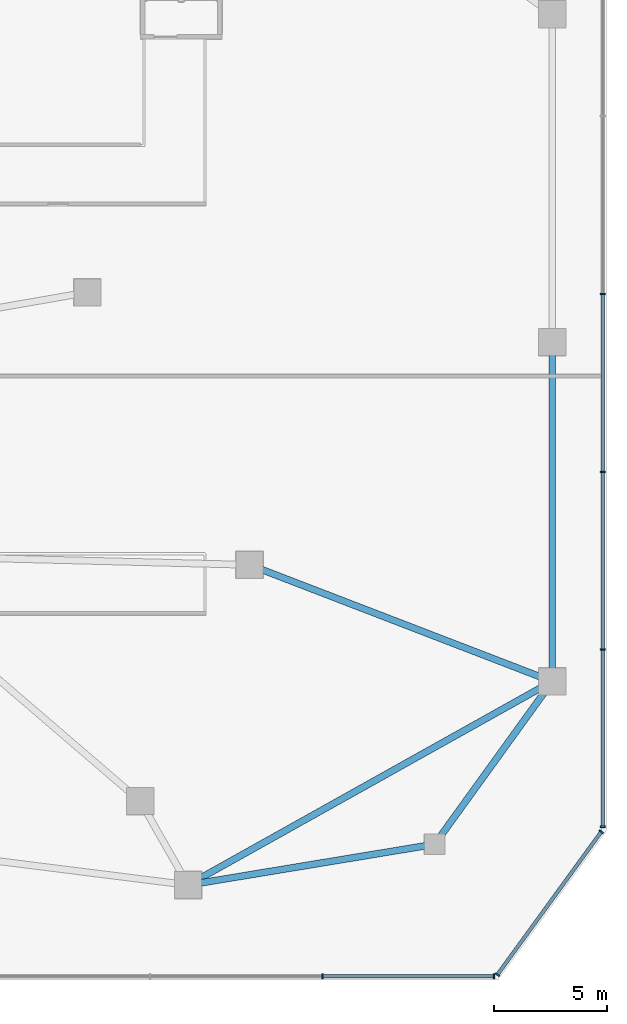
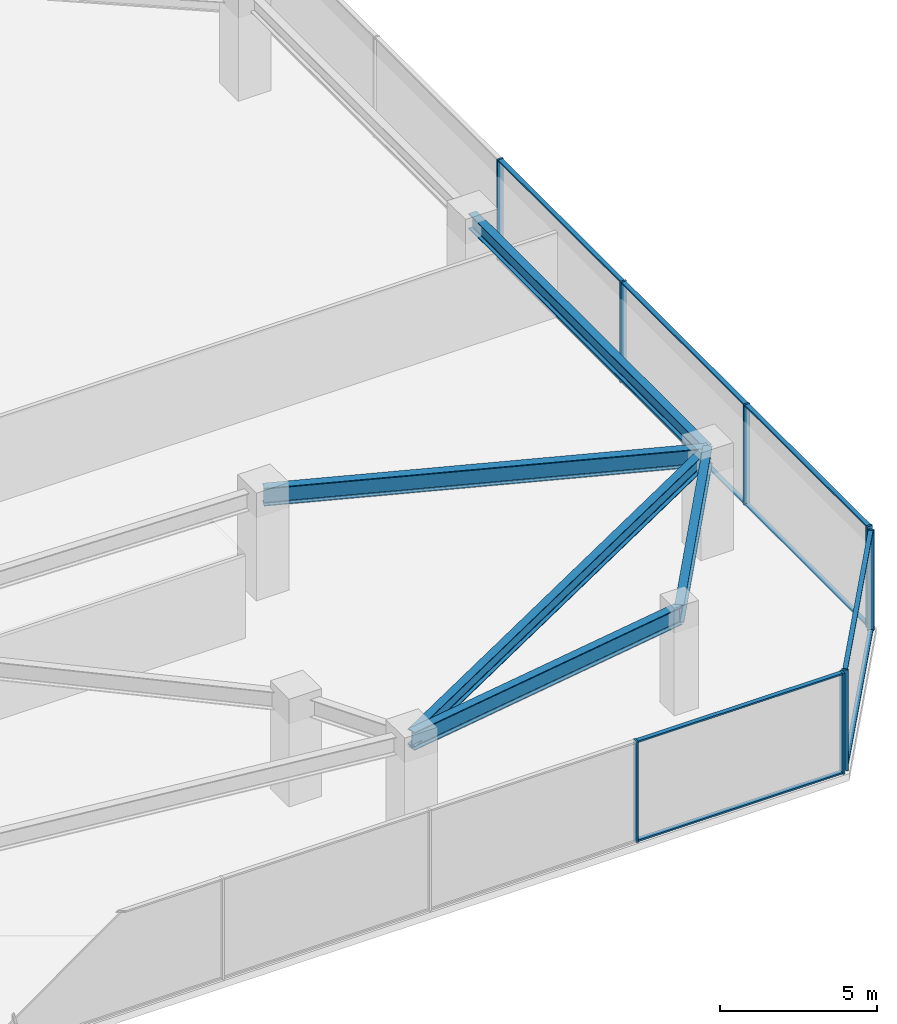
# One storey, part 8 of 21: 18 members, 5 beams, 3 elements without a shape of their own.
"""IFC4 building model written with IfcOpenShell, lengths in metres."""

from ifc_helpers import new_model, si_unit, direction, frame, origin, origin_2d, place, context, subcontext, project, spatial, rectangle, i_section, extrude, material, material_profile, profile_set, type_object, element, aggregate, save


model = new_model("IFC4")

# Units and contexts
model_context = context("Model", 3, precision=1e-05, world=origin(), true_north=direction((0.0, 1.0)))
body_context = subcontext(model_context, "Body", "Model", "MODEL_VIEW")
ifc_project = project(units=[si_unit("LENGTHUNIT", "METRE"), si_unit("AREAUNIT", "SQUARE_METRE"), si_unit("VOLUMEUNIT", "CUBIC_METRE"), si_unit("PLANEANGLEUNIT", "RADIAN"), si_unit("MASSUNIT", "GRAM", prefix="KILO")], contexts=[model_context])

# Site, building, storey
site_placement = place(None, origin())
site = spatial("IfcSite", under=ifc_project, at=site_placement, CompositionType="ELEMENT")
building_placement = place(site_placement, origin())
building = spatial("IfcBuilding", under=site, at=building_placement, Name="Savorim Split Tower", CompositionType="ELEMENT")
storey_placement = place(building_placement, frame((0.0, 0.0, 9.199951171875)))
storey = spatial("IfcBuildingStorey", under=building, at=storey_placement, Name="L02", CompositionType="ELEMENT", Elevation=9.199951171875)

# Beams
ifc_material_1 = material(Name="Steel S355", Category="steel")
ifc_material_profile_1 = material_profile(ifc_material_1, i_section(OverallWidth=0.300048828125, OverallDepth=0.699951171875, WebThickness=0.01708984375, FlangeThickness=0.031982421875, FilletRadius=0.027099609375, at=origin_2d()), Name="HEB 700")
ifc_profile_set_1 = profile_set([ifc_material_profile_1], Name="Steel S355")
beam_type_1 = type_object("IfcBeamType", Name="BM-PRI-HEB700", PredefinedType="BEAM", material=ifc_profile_set_1)
beam_1_placement = place(storey_placement, frame((22.5, -24.0, 3.570068359375), z_axis=(0.986636527583, 0.162936682298, 0.0), x_axis=(-0.162936682298, 0.986636527583, 0.0)))
element("IfcBeam", 1, at=beam_1_placement, inside=storey, type_object=beam_type_1, Name="L02 Podium Primary Girder BG-05", PredefinedType="BEAM", context=body_context, shape_type="SweptSolid", body=[
    extrude(i_section(OverallWidth=0.300048828125, OverallDepth=0.699951171875, WebThickness=0.01708984375, FlangeThickness=0.031982421875, FilletRadius=0.027099609375, at=origin_2d()), origin(), (0.0, 0.0, 1.0), 11.047607421875),
])
beam_2_placement = place(storey_placement, frame((33.39990234375, -22.199951171875, 3.570068359375), z_axis=(0.585507615617, 0.810666905735, 0.0), x_axis=(-0.810666905735, 0.585507615617, 0.0)))
element("IfcBeam", 2, at=beam_2_placement, inside=storey, type_object=beam_type_1, Name="L02 Podium Primary Girder BG-06", PredefinedType="BEAM", context=body_context, shape_type="SweptSolid", body=[
    extrude(i_section(OverallWidth=0.300048828125, OverallDepth=0.699951171875, WebThickness=0.01708984375, FlangeThickness=0.031982421875, FilletRadius=0.027099609375, at=origin_2d()), origin(), (0.0, 0.0, 1.0), 8.881591796875),
])
beam_3_placement = place(storey_placement, frame((38.60009765625, -15.0, 3.570068359375), z_axis=(-0.933209998247, 0.359331461427, 0.0), x_axis=(-0.359331461427, -0.933209998247, 0.0)))
element("IfcBeam", 3, at=beam_3_placement, inside=storey, type_object=beam_type_1, Name="L02 Podium Primary Girder BG-07", PredefinedType="BEAM", context=body_context, shape_type="SweptSolid", body=[
    extrude(i_section(OverallWidth=0.300048828125, OverallDepth=0.699951171875, WebThickness=0.01708984375, FlangeThickness=0.031982421875, FilletRadius=0.027099609375, at=origin_2d()), origin(), (0.0, 0.0, 1.0), 14.3447265625),
])
ifc_material_profile_2 = material_profile(ifc_material_1, i_section(OverallWidth=0.300048828125, OverallDepth=0.590087890625, WebThickness=0.012939453125, FlangeThickness=0.02490234375, FilletRadius=0.027099609375, at=origin_2d()), Name="HEA 600")
ifc_profile_set_2 = profile_set([ifc_material_profile_2], Name="Steel S355")
beam_type_2 = type_object("IfcBeamType", Name="BM-SPN-HEA600", PredefinedType="SPANDREL", material=ifc_profile_set_2)
beam_4_placement = place(storey_placement, frame((22.5, -24.0, 3.625), z_axis=(0.872876830371, 0.487940610117, 0.0), x_axis=(-0.487940610117, 0.872876830371, 0.0)))
element("IfcBeam", 4, at=beam_4_placement, inside=storey, type_object=beam_type_2, Name="L02 Podium Spandrel Beam 2", PredefinedType="SPANDREL", context=body_context, shape_type="SweptSolid", body=[
    extrude(i_section(OverallWidth=0.300048828125, OverallDepth=0.590087890625, WebThickness=0.012939453125, FlangeThickness=0.02490234375, FilletRadius=0.027099609375, at=origin_2d()), origin(), (0.0, 0.0, 1.0), 18.44482421875),
])
beam_5_placement = place(storey_placement, frame((38.60009765625, -15.0, 3.625), z_axis=(0.0, 1.0, 0.0), x_axis=(-1.0, 0.0, 0.0)))
element("IfcBeam", 5, at=beam_5_placement, inside=storey, type_object=beam_type_2, Name="L02 Podium Spandrel Beam 3", PredefinedType="SPANDREL", context=body_context, shape_type="SweptSolid", body=[
    extrude(i_section(OverallWidth=0.300048828125, OverallDepth=0.590087890625, WebThickness=0.012939453125, FlangeThickness=0.02490234375, FilletRadius=0.027099609375, at=origin_2d()), origin(), (0.0, 0.0, 1.0), 15.0),
])

# Curtain wall, members
ifc_material_2 = material(Name="Dark Ceramic-Fritted Insulated Glass", Category="glass")
curtain_wall_type = type_object("IfcCurtainWallType", Name="CW-POD-GLZ", PredefinedType="NOTDEFINED", material=ifc_material_2)
curtain_wall_1_placement = place(storey_placement, origin())
curtain_wall_1 = element("IfcCurtainWall", 6, at=curtain_wall_1_placement, inside=storey, type_object=curtain_wall_type, Name="L02 Curtain Wall CW-L02-E04", PredefinedType="NOTDEFINED")
ifc_material_3 = material(Name="Charcoal Anodised Aluminium", Category="aluminium")
ifc_material_profile_3 = material_profile(ifc_material_3, rectangle(XDim=0.219970703125, YDim=0.070068359375, at=origin_2d()), Name="ALU-M 220x70")
ifc_profile_set_3 = profile_set([ifc_material_profile_3], Name="Charcoal Anodised Aluminium")
member_type_1 = type_object("IfcMemberType", Name="CWM-220x70", PredefinedType="MULLION", material=ifc_profile_set_3)
member_1_placement = place(storey_placement, frame((28.43310546875, -28.0400390625, 0.0), z_axis=(0.0, 0.0, 1.0), x_axis=(0.0, 1.0, 0.0)))
member_1 = element("IfcMember", 7, at=member_1_placement, type_object=member_type_1, Name="CW-01 mullion 8", PredefinedType="MULLION", context=body_context, shape_type="SweptSolid", body=[
    extrude(rectangle(XDim=0.219970703125, YDim=0.070068359375, at=origin_2d()), origin(), (0.0, 0.0, 1.0), 3.920166015625),
])
member_2_placement = place(storey_placement, frame((36.02490234375, -28.0400390625, 0.0), z_axis=(0.0, 0.0, 1.0), x_axis=(0.0, 1.0, 0.0)))
member_2 = element("IfcMember", 8, at=member_2_placement, type_object=member_type_1, Name="CW-01 mullion 9", PredefinedType="MULLION", context=body_context, shape_type="SweptSolid", body=[
    extrude(rectangle(XDim=0.219970703125, YDim=0.070068359375, at=origin_2d()), origin(), (0.0, 0.0, 1.0), 3.920166015625),
])

curtain_wall_2_placement = place(storey_placement, origin())
curtain_wall_2 = element("IfcCurtainWall", 9, at=curtain_wall_2_placement, inside=storey, type_object=curtain_wall_type, Name="L02 Curtain Wall CW-L02-E05", PredefinedType="NOTDEFINED")
member_3_placement = place(storey_placement, frame((36.173583984375, -27.96435546875, 0.0), z_axis=(0.0, 0.0, 1.0), x_axis=(-0.808732792063, 0.588176224478, 0.0)))
member_3 = element("IfcMember", 10, at=member_3_placement, type_object=member_type_1, Name="CW-01 mullion 1", PredefinedType="MULLION", context=body_context, shape_type="SweptSolid", body=[
    extrude(rectangle(XDim=0.219970703125, YDim=0.070068359375, at=origin_2d()), origin(), (0.0, 0.0, 1.0), 3.920166015625),
])
member_4_placement = place(storey_placement, frame((40.767822265625, -21.6474609375, 0.0), z_axis=(0.0, 0.0, 1.0), x_axis=(-0.808732792063, 0.588176224478, 0.0)))
member_4 = element("IfcMember", 11, at=member_4_placement, type_object=member_type_1, Name="CW-01 mullion 2", PredefinedType="MULLION", context=body_context, shape_type="SweptSolid", body=[
    extrude(rectangle(XDim=0.219970703125, YDim=0.070068359375, at=origin_2d()), origin(), (0.0, 0.0, 1.0), 3.920166015625),
])

curtain_wall_3_placement = place(storey_placement, origin())
curtain_wall_3 = element("IfcCurtainWall", 12, at=curtain_wall_3_placement, inside=storey, type_object=curtain_wall_type, Name="L02 Curtain Wall CW-L02-E06", PredefinedType="NOTDEFINED")
member_5_placement = place(storey_placement, frame((40.840087890625, -21.425048828125, 0.0), z_axis=(0.0, 0.0, 1.0), x_axis=(-1.0, 0.0, 0.0)))
member_5 = element("IfcMember", 13, at=member_5_placement, type_object=member_type_1, Name="CW-01 mullion 1", PredefinedType="MULLION", context=body_context, shape_type="SweptSolid", body=[
    extrude(rectangle(XDim=0.219970703125, YDim=0.070068359375, at=origin_2d()), origin(), (0.0, 0.0, 1.0), 3.920166015625),
])
member_6_placement = place(storey_placement, frame((40.840087890625, -13.595947265625, 0.0), z_axis=(0.0, 0.0, 1.0), x_axis=(-1.0, 0.0, 0.0)))
member_6 = element("IfcMember", 14, at=member_6_placement, type_object=member_type_1, Name="CW-01 mullion 2", PredefinedType="MULLION", context=body_context, shape_type="SweptSolid", body=[
    extrude(rectangle(XDim=0.219970703125, YDim=0.070068359375, at=origin_2d()), origin(), (0.0, 0.0, 1.0), 3.920166015625),
])
member_7_placement = place(storey_placement, frame((40.840087890625, -5.73193359375, 0.0), z_axis=(0.0, 0.0, 1.0), x_axis=(-1.0, 0.0, 0.0)))
member_7 = element("IfcMember", 15, at=member_7_placement, type_object=member_type_1, Name="CW-01 mullion 3", PredefinedType="MULLION", context=body_context, shape_type="SweptSolid", body=[
    extrude(rectangle(XDim=0.219970703125, YDim=0.070068359375, at=origin_2d()), origin(), (0.0, 0.0, 1.0), 3.920166015625),
])
member_8_placement = place(storey_placement, frame((40.840087890625, 2.132080078125, 0.0), z_axis=(0.0, 0.0, 1.0), x_axis=(-1.0, 0.0, 0.0)))
member_8 = element("IfcMember", 16, at=member_8_placement, type_object=member_type_1, Name="CW-01 mullion 4", PredefinedType="MULLION", context=body_context, shape_type="SweptSolid", body=[
    extrude(rectangle(XDim=0.219970703125, YDim=0.070068359375, at=origin_2d()), origin(), (0.0, 0.0, 1.0), 3.920166015625),
])

# Member
ifc_material_profile_4 = material_profile(ifc_material_3, rectangle(XDim=0.159912109375, YDim=0.06005859375, at=origin_2d()), Name="ALU-T 160x60")
ifc_profile_set_4 = profile_set([ifc_material_profile_4], Name="Charcoal Anodised Aluminium")
member_type_2 = type_object("IfcMemberType", Name="CWT-160x60", PredefinedType="USERDEFINED", material=ifc_profile_set_4)
member_9_placement = place(storey_placement, frame((28.468017578125, -28.0400390625, 0.030029296875), z_axis=(1.0, 0.0, 0.0), x_axis=(0.0, 1.0, 0.0)))
member_9 = element("IfcMember", 17, at=member_9_placement, type_object=member_type_2, Name="CW-01 transom 8.1", ObjectType="TRANSOM", PredefinedType="USERDEFINED", context=body_context, shape_type="SweptSolid", body=[
    extrude(rectangle(XDim=0.159912109375, YDim=0.06005859375, at=origin_2d()), origin(), (0.0, 0.0, 1.0), 7.52197265625),
])

member_10_placement = place(storey_placement, frame((28.468017578125, -28.0400390625, 3.89013671875), z_axis=(1.0, 0.0, 0.0), x_axis=(0.0, 1.0, 0.0)))
member_10 = element("IfcMember", 18, at=member_10_placement, type_object=member_type_2, Name="CW-01 transom 8.2", ObjectType="TRANSOM", PredefinedType="USERDEFINED", context=body_context, shape_type="SweptSolid", body=[
    extrude(rectangle(XDim=0.159912109375, YDim=0.06005859375, at=origin_2d()), origin(), (0.0, 0.0, 1.0), 7.52197265625),
])

aggregate(curtain_wall_1, [member_1, member_2, member_9, member_10])

member_11_placement = place(storey_placement, frame((36.194091796875, -27.93603515625, 0.030029296875), z_axis=(0.588177323599, 0.808731992692, 0.0), x_axis=(-0.808731992692, 0.588177323599, 0.0)))
member_11 = element("IfcMember", 19, at=member_11_placement, type_object=member_type_2, Name="CW-01 transom 1.1", ObjectType="TRANSOM", PredefinedType="USERDEFINED", context=body_context, shape_type="SweptSolid", body=[
    extrude(rectangle(XDim=0.159912109375, YDim=0.06005859375, at=origin_2d()), origin(), (0.0, 0.0, 1.0), 7.74072265625),
])

member_12_placement = place(storey_placement, frame((36.194091796875, -27.93603515625, 3.89013671875), z_axis=(0.588177323599, 0.808731992692, 0.0), x_axis=(-0.808731992692, 0.588177323599, 0.0)))
member_12 = element("IfcMember", 20, at=member_12_placement, type_object=member_type_2, Name="CW-01 transom 1.2", ObjectType="TRANSOM", PredefinedType="USERDEFINED", context=body_context, shape_type="SweptSolid", body=[
    extrude(rectangle(XDim=0.159912109375, YDim=0.06005859375, at=origin_2d()), origin(), (0.0, 0.0, 1.0), 7.74072265625),
])

aggregate(curtain_wall_2, [member_3, member_4, member_11, member_12])

member_13_placement = place(storey_placement, frame((40.840087890625, -21.389892578125, 0.030029296875), z_axis=(0.0, 1.0, 0.0), x_axis=(-1.0, 0.0, 0.0)))
member_13 = element("IfcMember", 21, at=member_13_placement, type_object=member_type_2, Name="CW-01 transom 1.1", ObjectType="TRANSOM", PredefinedType="USERDEFINED", context=body_context, shape_type="SweptSolid", body=[
    extrude(rectangle(XDim=0.159912109375, YDim=0.06005859375, at=origin_2d()), origin(), (0.0, 0.0, 1.0), 7.7587890625),
])

member_14_placement = place(storey_placement, frame((40.840087890625, -21.389892578125, 3.89013671875), z_axis=(0.0, 1.0, 0.0), x_axis=(-1.0, 0.0, 0.0)))
member_14 = element("IfcMember", 22, at=member_14_placement, type_object=member_type_2, Name="CW-01 transom 1.2", ObjectType="TRANSOM", PredefinedType="USERDEFINED", context=body_context, shape_type="SweptSolid", body=[
    extrude(rectangle(XDim=0.159912109375, YDim=0.06005859375, at=origin_2d()), origin(), (0.0, 0.0, 1.0), 7.7587890625),
])

member_15_placement = place(storey_placement, frame((40.840087890625, -13.56103515625, 0.030029296875), z_axis=(0.0, 1.0, 0.0), x_axis=(-1.0, 0.0, 0.0)))
member_15 = element("IfcMember", 23, at=member_15_placement, type_object=member_type_2, Name="CW-01 transom 2.1", ObjectType="TRANSOM", PredefinedType="USERDEFINED", context=body_context, shape_type="SweptSolid", body=[
    extrude(rectangle(XDim=0.159912109375, YDim=0.06005859375, at=origin_2d()), origin(), (0.0, 0.0, 1.0), 7.7939453125),
])

member_16_placement = place(storey_placement, frame((40.840087890625, -13.56103515625, 3.89013671875), z_axis=(0.0, 1.0, 0.0), x_axis=(-1.0, 0.0, 0.0)))
member_16 = element("IfcMember", 24, at=member_16_placement, type_object=member_type_2, Name="CW-01 transom 2.2", ObjectType="TRANSOM", PredefinedType="USERDEFINED", context=body_context, shape_type="SweptSolid", body=[
    extrude(rectangle(XDim=0.159912109375, YDim=0.06005859375, at=origin_2d()), origin(), (0.0, 0.0, 1.0), 7.7939453125),
])

member_17_placement = place(storey_placement, frame((40.840087890625, -5.697021484375, 0.030029296875), z_axis=(0.0, 1.0, 0.0), x_axis=(-1.0, 0.0, 0.0)))
member_17 = element("IfcMember", 25, at=member_17_placement, type_object=member_type_2, Name="CW-01 transom 3.1", ObjectType="TRANSOM", PredefinedType="USERDEFINED", context=body_context, shape_type="SweptSolid", body=[
    extrude(rectangle(XDim=0.159912109375, YDim=0.06005859375, at=origin_2d()), origin(), (0.0, 0.0, 1.0), 7.7939453125),
])

member_18_placement = place(storey_placement, frame((40.840087890625, -5.697021484375, 3.89013671875), z_axis=(0.0, 1.0, 0.0), x_axis=(-1.0, 0.0, 0.0)))
member_18 = element("IfcMember", 26, at=member_18_placement, type_object=member_type_2, Name="CW-01 transom 3.2", ObjectType="TRANSOM", PredefinedType="USERDEFINED", context=body_context, shape_type="SweptSolid", body=[
    extrude(rectangle(XDim=0.159912109375, YDim=0.06005859375, at=origin_2d()), origin(), (0.0, 0.0, 1.0), 7.7939453125),
])

aggregate(curtain_wall_3, [member_5, member_6, member_7, member_8, member_13, member_14, member_15, member_16, member_17, member_18])

save(model, "model.ifc")
